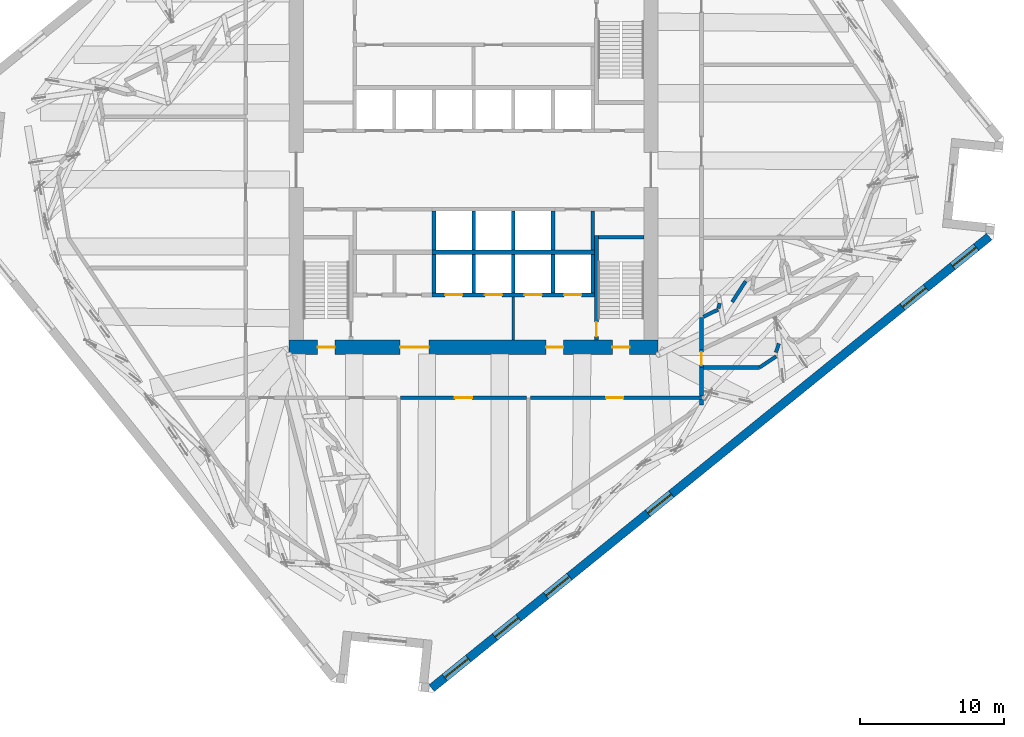
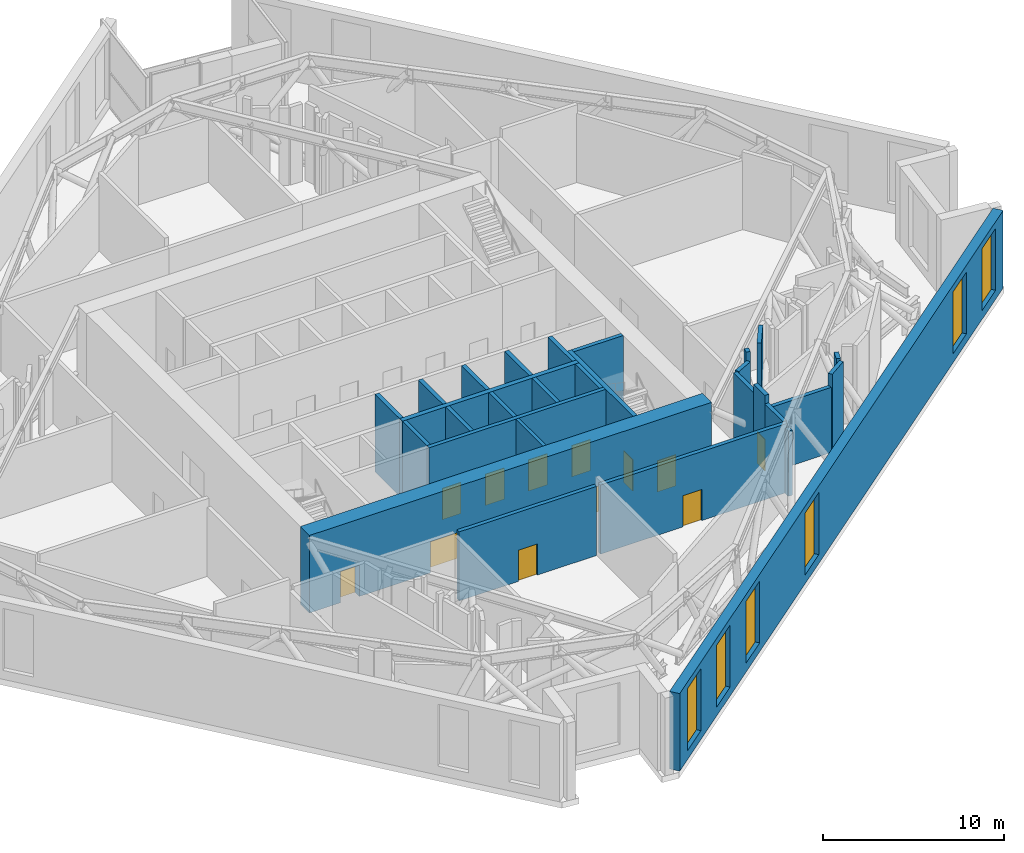
# One storey, part 8 of 17: 29 walls, 12 doors, 6 windows, 18 openings.
"""IFC4 building model written with IfcOpenShell, lengths in metres."""

from ifc_helpers import new_model, si_unit, direction, frame, frame_2d, origin, place, context, subcontext, project, spatial, rectangle, extrude, material, layer, layer_set, type_object, element, fill, save


model = new_model("IFC4")

# Units and contexts
model_context = context("Model", 3, precision=1e-05, world=origin(), true_north=direction((0.0, 1.0)))
body_context = subcontext(model_context, "Body", "Model", "MODEL_VIEW")
ifc_project = project(units=[si_unit("LENGTHUNIT", "METRE"), si_unit("AREAUNIT", "SQUARE_METRE"), si_unit("VOLUMEUNIT", "CUBIC_METRE"), si_unit("PLANEANGLEUNIT", "RADIAN"), si_unit("MASSUNIT", "GRAM", prefix="KILO")], contexts=[model_context])

# Site, building, storey
site_placement = place(None, origin())
site = spatial("IfcSite", under=ifc_project, at=site_placement, CompositionType="ELEMENT")
building_placement = place(site_placement, origin())
building = spatial("IfcBuilding", under=site, at=building_placement, Name="Dilmun Exchange Tower", CompositionType="ELEMENT")
storey_placement = place(building_placement, frame((0.0, 0.0, 183.699951171875)))
storey = spatial("IfcBuildingStorey", under=building, at=storey_placement, Name="L43", CompositionType="ELEMENT", Elevation=183.699951171875)

# Walls
ifc_material_1 = material(Name="Concrete C40/50", Category="concrete")
ifc_layer_1 = layer(ifc_material_1, 0.199951171875)
ifc_layer_set_1 = layer_set([ifc_layer_1], Name="Concrete C40/50")
wall_type_1 = type_object("IfcWallType", Name="Core partition wall 200", PredefinedType="PARTITIONING", material=ifc_layer_set_1)
wall_1_placement = place(storey_placement, frame((2.75, -11.794921875, 0.0), z_axis=(0.0, 0.0, 1.0), x_axis=(0.0, 1.0, 0.0)))
element("IfcWall", 1, at=wall_1_placement, inside=storey, type_object=wall_type_1, Name="L43 core partition wall 01", PredefinedType="PARTITIONING", context=body_context, shape_type="SweptSolid", body=[
    extrude(rectangle(XDim=2.989990234375, YDim=0.199951171875, at=frame_2d((1.4951171875, 0.0))), origin(), (0.0, 0.0, 1.0), 5.219970703125),
])
ifc_layer_2 = layer(ifc_material_1, 0.25)
ifc_layer_set_2 = layer_set([ifc_layer_2], Name="Concrete C40/50")
wall_type_2 = type_object("IfcWallType", Name="Core partition wall 250", PredefinedType="PARTITIONING", material=ifc_layer_set_2)
wall_2_placement = place(storey_placement, frame((8.25, -5.544921875, 0.0), z_axis=(0.0, 0.0, 1.0), x_axis=(0.0, 1.0, 0.0)))
element("IfcWall", 2, at=wall_2_placement, inside=storey, type_object=wall_type_2, Name="L43 core partition wall 07", PredefinedType="PARTITIONING", context=body_context, shape_type="SweptSolid", body=[
    extrude(rectangle(XDim=2.68994140625, YDim=0.25, at=frame_2d((1.344970703125, 0.0))), origin(), (0.0, 0.0, 1.0), 5.219970703125),
])

# Wall, openings, doors
ifc_material_2 = material(Name="Concrete C70/85", Category="concrete")
ifc_layer_3 = layer(ifc_material_2, 1.0)
ifc_layer_set_3 = layer_set([ifc_layer_3], Name="Concrete C70/85")
wall_type_3 = type_object("IfcWallType", Name="Core shear wall 1000 Concrete C70/85", PredefinedType="SHEAR", material=ifc_layer_set_3)
wall_3_placement = place(storey_placement, frame((-12.800048828125, -12.300048828125, 0.0), z_axis=(0.0, 0.0, 1.0), x_axis=(1.0, 0.0, 0.0)))
wall_3 = element("IfcWall", 3, at=wall_3_placement, inside=storey, type_object=wall_type_3, Name="L43 core shear wall S", PredefinedType="SHEAR", context=body_context, shape_type="SweptSolid", body=[
    extrude(rectangle(XDim=25.60009765625, YDim=1.0, at=frame_2d((12.800048828125, 0.0))), origin(), (0.0, 0.0, 1.0), 5.219970703125),
])
opening_1_placement = place(wall_3_placement, frame((7.699951171875, 0.0, 0.0)))
opening_1 = element("IfcOpeningElement", 4, at=opening_1_placement, cuts=wall_3, Name="Opening CD2", PredefinedType="OPENING", context=body_context, shape_type="SweptSolid", body=[
    extrude(rectangle(XDim=2.0, YDim=2.10009765625, at=frame_2d((1.0, 1.050048828125))), frame((0.0, 0.510009765625, 0.0), z_axis=(0.0, -1.0, 0.0), x_axis=(1.0, 0.0, 0.0)), (0.0, 0.0, 1.0), 1.02001953125),
])
opening_2_placement = place(wall_3_placement, frame((17.824951171875, 0.0, 0.0)))
opening_2 = element("IfcOpeningElement", 5, at=opening_2_placement, cuts=wall_3, Name="Opening CD3", PredefinedType="OPENING", context=body_context, shape_type="SweptSolid", body=[
    extrude(rectangle(XDim=1.199951171875, YDim=2.10009765625, at=frame_2d((0.60009765625, 1.050048828125))), frame((0.0, 0.510009765625, 0.0), z_axis=(0.0, -1.0, 0.0), x_axis=(1.0, 0.0, 0.0)), (0.0, 0.0, 1.0), 1.02001953125),
])
opening_3_placement = place(wall_3_placement, frame((1.97509765625, 0.0, 0.0)))
opening_3 = element("IfcOpeningElement", 6, at=opening_3_placement, cuts=wall_3, Name="Opening CD3", PredefinedType="OPENING", context=body_context, shape_type="SweptSolid", body=[
    extrude(rectangle(XDim=1.199951171875, YDim=2.10009765625, at=frame_2d((0.60009765625, 1.050048828125))), frame((0.0, 0.510009765625, 0.0), z_axis=(0.0, -1.0, 0.0), x_axis=(1.0, 0.0, 0.0)), (0.0, 0.0, 1.0), 1.02001953125),
])
opening_4_placement = place(wall_3_placement, frame((22.425048828125, 0.0, 0.0)))
opening_4 = element("IfcOpeningElement", 7, at=opening_4_placement, cuts=wall_3, Name="Opening CD3", PredefinedType="OPENING", context=body_context, shape_type="SweptSolid", body=[
    extrude(rectangle(XDim=1.199951171875, YDim=2.10009765625, at=frame_2d((0.60009765625, 1.050048828125))), frame((0.0, 0.510009765625, 0.0), z_axis=(0.0, -1.0, 0.0), x_axis=(1.0, 0.0, 0.0)), (0.0, 0.0, 1.0), 1.02001953125),
])
ifc_material_3 = material(Name="Fire-rated steel door set", Category="steel")
door_type_1 = type_object("IfcDoorType", Name="Core service door 2000x2100", OperationType="DOUBLE_DOOR_DOUBLE_SWING", PredefinedType="DOOR", material=ifc_material_3)
door_1_placement = place(opening_1_placement, origin())
door_1 = element("IfcDoor", 8, at=door_1_placement, inside=storey, type_object=door_type_1, Name="L43 door South service lobby", OperationType="SINGLE_SWING_LEFT", OverallHeight=2.10009765625, OverallWidth=2.0, PredefinedType="DOOR", context=body_context, shape_type="SweptSolid", body=[
    extrude(rectangle(XDim=2.0, YDim=2.10009765625, at=frame_2d((1.0, 1.050048828125))), frame((0.0, 0.02490234375, 0.0), z_axis=(0.0, -1.0, 0.0), x_axis=(1.0, 0.0, 0.0)), (0.0, 0.0, 1.0), 0.050048828125),
])
fill(opening_1, door_1)
door_type_2 = type_object("IfcDoorType", Name="Stair exit door 1200x2100", OperationType="SINGLE_SWING_LEFT", PredefinedType="DOOR", material=ifc_material_3)
door_2_placement = place(opening_2_placement, origin())
door_2 = element("IfcDoor", 9, at=door_2_placement, inside=storey, type_object=door_type_2, Name="L43 door Fire-fighting lobby", OperationType="SINGLE_SWING_LEFT", OverallHeight=2.10009765625, OverallWidth=1.199951171875, PredefinedType="DOOR", context=body_context, shape_type="SweptSolid", body=[
    extrude(rectangle(XDim=1.199951171875, YDim=2.10009765625, at=frame_2d((0.60009765625, 1.050048828125))), frame((0.0, 0.02490234375, 0.0), z_axis=(0.0, -1.0, 0.0), x_axis=(1.0, 0.0, 0.0)), (0.0, 0.0, 1.0), 0.050048828125),
])
fill(opening_2, door_2)
door_3_placement = place(opening_3_placement, origin())
door_3 = element("IfcDoor", 10, at=door_3_placement, inside=storey, type_object=door_type_2, Name="L43 door Stair ST2", OperationType="SINGLE_SWING_LEFT", OverallHeight=2.10009765625, OverallWidth=1.199951171875, PredefinedType="DOOR", context=body_context, shape_type="SweptSolid", body=[
    extrude(rectangle(XDim=1.199951171875, YDim=2.10009765625, at=frame_2d((0.60009765625, 1.050048828125))), frame((0.0, 0.02490234375, 0.0), z_axis=(0.0, -1.0, 0.0), x_axis=(1.0, 0.0, 0.0)), (0.0, 0.0, 1.0), 0.050048828125),
])
fill(opening_3, door_3)
door_4_placement = place(opening_4_placement, origin())
door_4 = element("IfcDoor", 11, at=door_4_placement, inside=storey, type_object=door_type_2, Name="L43 door Stair ST3", OperationType="SINGLE_SWING_LEFT", OverallHeight=2.10009765625, OverallWidth=1.199951171875, PredefinedType="DOOR", context=body_context, shape_type="SweptSolid", body=[
    extrude(rectangle(XDim=1.199951171875, YDim=2.10009765625, at=frame_2d((0.60009765625, 1.050048828125))), frame((0.0, 0.02490234375, 0.0), z_axis=(0.0, -1.0, 0.0), x_axis=(1.0, 0.0, 0.0)), (0.0, 0.0, 1.0), 0.050048828125),
])
fill(opening_4, door_4)

# Walls
ifc_layer_4 = layer(ifc_material_1, 0.300048828125)
ifc_layer_set_4 = layer_set([ifc_layer_4], Name="Concrete C40/50")
wall_type_4 = type_object("IfcWallType", Name="Lift shaft shared wall 300", PredefinedType="SOLIDWALL", material=ifc_layer_set_4)
wall_4_placement = place(storey_placement, frame((-2.875, -5.699951171875, 0.0), z_axis=(0.0, 0.0, 1.0), x_axis=(1.0, 0.0, 0.0)))
element("IfcWall", 12, at=wall_4_placement, inside=storey, type_object=wall_type_4, Name="L43 lift shaft rear wall S", PredefinedType="SOLIDWALL", context=body_context, shape_type="SweptSolid", body=[
    extrude(rectangle(XDim=11.25, YDim=0.300048828125, at=frame_2d((5.625, 0.0))), origin(), (0.0, 0.0, 1.0), 5.219970703125),
])
ifc_layer_5 = layer(ifc_material_1, 0.25)
ifc_layer_set_5 = layer_set([ifc_layer_5], Name="Concrete C40/50")
wall_type_5 = type_object("IfcWallType", Name="Lift shaft wall 250", PredefinedType="SOLIDWALL", material=ifc_layer_set_5)
for number, where, z_axis, x_axis, name in (
    (13, (-2.75, -5.550048828125, 0.0), (0.0, 0.0, 1.0), (0.0, 1.0, 0.0), "L43 lift shaft divider S12"),
    (14, (0.0, -5.550048828125, 0.0), (0.0, 0.0, 1.0), (0.0, 1.0, 0.0), "L43 lift shaft divider S13"),
    (15, (2.75, -5.550048828125, 0.0), (0.0, 0.0, 1.0), (0.0, 1.0, 0.0), "L43 lift shaft divider S14"),
    (16, (5.5, -5.550048828125, 0.0), (0.0, 0.0, 1.0), (0.0, 1.0, 0.0), "L43 lift shaft divider S15"),
):
    element("IfcWall", number, at=place(storey_placement, frame(where, z_axis=z_axis, x_axis=x_axis)), inside=storey, type_object=wall_type_5, Name=name, PredefinedType="SOLIDWALL", context=body_context, shape_type="SweptSolid", body=[
        extrude(rectangle(XDim=2.699951171875, YDim=0.25, at=frame_2d((1.35009765625, 0.0))), origin(), (0.0, 0.0, 1.0), 5.219970703125),
    ])

# Wall, openings, doors
wall_5_placement = place(storey_placement, frame((-2.875, -8.675048828125, 0.0), z_axis=(0.0, 0.0, 1.0), x_axis=(1.0, 0.0, 0.0)))
wall_5 = element("IfcWall", 17, at=wall_5_placement, inside=storey, type_object=wall_type_5, Name="L43 lift shaft front wall S2", PredefinedType="SOLIDWALL", context=body_context, shape_type="SweptSolid", body=[
    extrude(rectangle(XDim=11.25, YDim=0.25, at=frame_2d((5.625, 0.0))), origin(), (0.0, 0.0, 1.0), 5.219970703125),
])
opening_5_placement = place(wall_5_placement, frame((0.89990234375, 0.0, 0.0)))
opening_5 = element("IfcOpeningElement", 18, at=opening_5_placement, cuts=wall_5, Name="Opening LD", PredefinedType="OPENING", context=body_context, shape_type="SweptSolid", body=[
    extrude(rectangle(XDim=1.199951171875, YDim=2.10009765625, at=frame_2d((0.60009765625, 1.050048828125))), frame((0.0, 0.135009765625, 0.0), z_axis=(0.0, -1.0, 0.0), x_axis=(1.0, 0.0, 0.0)), (0.0, 0.0, 1.0), 0.27001953125),
])
opening_6_placement = place(wall_5_placement, frame((3.64990234375, 0.0, 0.0)))
opening_6 = element("IfcOpeningElement", 19, at=opening_6_placement, cuts=wall_5, Name="Opening LD", PredefinedType="OPENING", context=body_context, shape_type="SweptSolid", body=[
    extrude(rectangle(XDim=1.199951171875, YDim=2.10009765625, at=frame_2d((0.60009765625, 1.050048828125))), frame((0.0, 0.135009765625, 0.0), z_axis=(0.0, -1.0, 0.0), x_axis=(1.0, 0.0, 0.0)), (0.0, 0.0, 1.0), 0.27001953125),
])
opening_7_placement = place(wall_5_placement, frame((6.39990234375, 0.0, 0.0)))
opening_7 = element("IfcOpeningElement", 20, at=opening_7_placement, cuts=wall_5, Name="Opening LD", PredefinedType="OPENING", context=body_context, shape_type="SweptSolid", body=[
    extrude(rectangle(XDim=1.199951171875, YDim=2.10009765625, at=frame_2d((0.60009765625, 1.050048828125))), frame((0.0, 0.135009765625, 0.0), z_axis=(0.0, -1.0, 0.0), x_axis=(1.0, 0.0, 0.0)), (0.0, 0.0, 1.0), 0.27001953125),
])
opening_8_placement = place(wall_5_placement, frame((9.14990234375, 0.0, 0.0)))
opening_8 = element("IfcOpeningElement", 21, at=opening_8_placement, cuts=wall_5, Name="Opening LD", PredefinedType="OPENING", context=body_context, shape_type="SweptSolid", body=[
    extrude(rectangle(XDim=1.199951171875, YDim=2.10009765625, at=frame_2d((0.60009765625, 1.050048828125))), frame((0.0, 0.135009765625, 0.0), z_axis=(0.0, -1.0, 0.0), x_axis=(1.0, 0.0, 0.0)), (0.0, 0.0, 1.0), 0.27001953125),
])
door_type_3 = type_object("IfcDoorType", Name="Lift landing door 1200x2100", OperationType="DOUBLE_DOOR_SLIDING", PredefinedType="DOOR", material=ifc_material_3)
door_5_placement = place(opening_5_placement, origin())
door_5 = element("IfcDoor", 22, at=door_5_placement, inside=storey, type_object=door_type_3, Name="L43 landing door SV1", OperationType="DOUBLE_DOOR_SLIDING", OverallHeight=2.10009765625, OverallWidth=1.199951171875, PredefinedType="DOOR", context=body_context, shape_type="SweptSolid", body=[
    extrude(rectangle(XDim=1.199951171875, YDim=2.10009765625, at=frame_2d((0.60009765625, 1.050048828125))), frame((0.0, 0.02490234375, 0.0), z_axis=(0.0, -1.0, 0.0), x_axis=(1.0, 0.0, 0.0)), (0.0, 0.0, 1.0), 0.050048828125),
])
fill(opening_5, door_5)
door_6_placement = place(opening_6_placement, origin())
door_6 = element("IfcDoor", 23, at=door_6_placement, inside=storey, type_object=door_type_3, Name="L43 landing door SV2", OperationType="DOUBLE_DOOR_SLIDING", OverallHeight=2.10009765625, OverallWidth=1.199951171875, PredefinedType="DOOR", context=body_context, shape_type="SweptSolid", body=[
    extrude(rectangle(XDim=1.199951171875, YDim=2.10009765625, at=frame_2d((0.60009765625, 1.050048828125))), frame((0.0, 0.02490234375, 0.0), z_axis=(0.0, -1.0, 0.0), x_axis=(1.0, 0.0, 0.0)), (0.0, 0.0, 1.0), 0.050048828125),
])
fill(opening_6, door_6)
door_7_placement = place(opening_7_placement, origin())
door_7 = element("IfcDoor", 24, at=door_7_placement, inside=storey, type_object=door_type_3, Name="L43 landing door FF1", OperationType="DOUBLE_DOOR_SLIDING", OverallHeight=2.10009765625, OverallWidth=1.199951171875, PredefinedType="DOOR", context=body_context, shape_type="SweptSolid", body=[
    extrude(rectangle(XDim=1.199951171875, YDim=2.10009765625, at=frame_2d((0.60009765625, 1.050048828125))), frame((0.0, 0.02490234375, 0.0), z_axis=(0.0, -1.0, 0.0), x_axis=(1.0, 0.0, 0.0)), (0.0, 0.0, 1.0), 0.050048828125),
])
fill(opening_7, door_7)
door_8_placement = place(opening_8_placement, origin())
door_8 = element("IfcDoor", 25, at=door_8_placement, inside=storey, type_object=door_type_3, Name="L43 landing door FF2", OperationType="DOUBLE_DOOR_SLIDING", OverallHeight=2.10009765625, OverallWidth=1.199951171875, PredefinedType="DOOR", context=body_context, shape_type="SweptSolid", body=[
    extrude(rectangle(XDim=1.199951171875, YDim=2.10009765625, at=frame_2d((0.60009765625, 1.050048828125))), frame((0.0, 0.02490234375, 0.0), z_axis=(0.0, -1.0, 0.0), x_axis=(1.0, 0.0, 0.0)), (0.0, 0.0, 1.0), 0.050048828125),
])
fill(opening_8, door_8)

# Walls
for number, where, z_axis, x_axis, name in (
    (26, (-2.75, -8.550048828125, 0.0), (0.0, 0.0, 1.0), (0.0, 1.0, 0.0), "L43 lift shaft divider S22"),
    (27, (0.0, -8.550048828125, 0.0), (0.0, 0.0, 1.0), (0.0, 1.0, 0.0), "L43 lift shaft divider S23"),
    (28, (2.75, -8.550048828125, 0.0), (0.0, 0.0, 1.0), (0.0, 1.0, 0.0), "L43 lift shaft divider S24"),
    (29, (5.5, -8.550048828125, 0.0), (0.0, 0.0, 1.0), (0.0, 1.0, 0.0), "L43 lift shaft divider S25"),
    (30, (8.25, -8.550048828125, 0.0), (0.0, 0.0, 1.0), (0.0, 1.0, 0.0), "L43 lift shaft divider S26"),
):
    element("IfcWall", number, at=place(storey_placement, frame(where, z_axis=z_axis, x_axis=x_axis)), inside=storey, type_object=wall_type_5, Name=name, PredefinedType="SOLIDWALL", context=body_context, shape_type="SweptSolid", body=[
        extrude(rectangle(XDim=2.699951171875, YDim=0.25, at=frame_2d((1.35009765625, 0.0))), origin(), (0.0, 0.0, 1.0), 5.219970703125),
    ])

# Wall, opening, door
ifc_material_4 = material(Name="Concrete C32/40", Category="concrete")
ifc_layer_6 = layer(ifc_material_4, 0.25)
ifc_layer_set_6 = layer_set([ifc_layer_6], Name="Concrete C32/40")
wall_type_6 = type_object("IfcWallType", Name="Plant room wall 250", PredefinedType="PARTITIONING", material=ifc_layer_set_6)
wall_6_placement = place(storey_placement, frame((-5.070068359375, -15.800048828125, 0.0), z_axis=(0.0, 0.0, 1.0), x_axis=(1.0, 0.0, 0.0)))
wall_6 = element("IfcWall", 31, at=wall_6_placement, inside=storey, type_object=wall_type_6, Name="L43 plant room wall 34", PredefinedType="PARTITIONING", context=body_context, shape_type="SweptSolid", body=[
    extrude(rectangle(XDim=8.739990234375, YDim=0.25, at=frame_2d((4.3701171875, 0.0))), origin(), (0.0, 0.0, 1.0), 4.650146484375),
])
opening_9_placement = place(wall_6_placement, frame((3.77001953125, 0.0, 0.0)))
opening_9 = element("IfcOpeningElement", 32, at=opening_9_placement, cuts=wall_6, Name="Opening PD2", PredefinedType="OPENING", context=body_context, shape_type="SweptSolid", body=[
    extrude(rectangle(XDim=1.199951171875, YDim=2.10009765625, at=frame_2d((0.60009765625, 1.050048828125))), frame((0.0, 0.135009765625, 0.0), z_axis=(0.0, -1.0, 0.0), x_axis=(1.0, 0.0, 0.0)), (0.0, 0.0, 1.0), 0.27001953125),
])
door_type_4 = type_object("IfcDoorType", Name="Plant room door 1200x2100", OperationType="SINGLE_SWING_LEFT", PredefinedType="DOOR", material=ifc_material_3)
door_9_placement = place(opening_9_placement, origin())
door_9 = element("IfcDoor", 33, at=door_9_placement, inside=storey, type_object=door_type_4, Name="L43 door Electrical switch room", OperationType="SINGLE_SWING_RIGHT", OverallHeight=2.10009765625, OverallWidth=1.199951171875, PredefinedType="DOOR", context=body_context, shape_type="SweptSolid", body=[
    extrude(rectangle(XDim=1.199951171875, YDim=2.10009765625, at=frame_2d((0.60009765625, 1.050048828125))), frame((0.0, 0.02490234375, 0.0), z_axis=(0.0, -1.0, 0.0), x_axis=(1.0, 0.0, 0.0)), (0.0, 0.0, 1.0), 0.050048828125),
])
fill(opening_9, door_9)

wall_7_placement = place(storey_placement, frame((3.929931640625, -15.800048828125, 0.0), z_axis=(0.0, 0.0, 1.0), x_axis=(1.0, 0.0, 0.0)))
wall_7 = element("IfcWall", 34, at=wall_7_placement, inside=storey, type_object=wall_type_6, Name="L43 plant room wall 35", PredefinedType="PARTITIONING", context=body_context, shape_type="SweptSolid", body=[
    extrude(rectangle(XDim=11.8701171875, YDim=0.25, at=frame_2d((5.93505859375, 0.0))), origin(), (0.0, 0.0, 1.0), 4.650146484375),
])
opening_10_placement = place(wall_7_placement, frame((5.260009765625, 0.0, 0.0)))
opening_10 = element("IfcOpeningElement", 35, at=opening_10_placement, cuts=wall_7, Name="Opening PD2", PredefinedType="OPENING", context=body_context, shape_type="SweptSolid", body=[
    extrude(rectangle(XDim=1.199951171875, YDim=2.10009765625, at=frame_2d((0.60009765625, 1.050048828125))), frame((0.0, 0.135009765625, 0.0), z_axis=(0.0, -1.0, 0.0), x_axis=(1.0, 0.0, 0.0)), (0.0, 0.0, 1.0), 0.27001953125),
])
door_10_placement = place(opening_10_placement, origin())
door_10 = element("IfcDoor", 36, at=door_10_placement, inside=storey, type_object=door_type_4, Name="L43 door AHU room", OperationType="SINGLE_SWING_LEFT", OverallHeight=2.10009765625, OverallWidth=1.199951171875, PredefinedType="DOOR", context=body_context, shape_type="SweptSolid", body=[
    extrude(rectangle(XDim=1.199951171875, YDim=2.10009765625, at=frame_2d((0.60009765625, 1.050048828125))), frame((0.0, 0.02490234375, 0.0), z_axis=(0.0, -1.0, 0.0), x_axis=(1.0, 0.0, 0.0)), (0.0, 0.0, 1.0), 0.050048828125),
])
fill(opening_10, door_10)

# Walls
wall_8_placement = place(storey_placement, frame((15.800048828125, -16.28857421875, 0.0), z_axis=(0.0, 0.0, 1.0), x_axis=(0.0, 1.0, 0.0)))
element("IfcWall", 37, at=wall_8_placement, inside=storey, type_object=wall_type_6, Name="L43 plant room wall 36", PredefinedType="PARTITIONING", context=body_context, shape_type="SweptSolid", body=[
    extrude(rectangle(XDim=0.358642578125, YDim=0.25, at=frame_2d((0.17919921875, 0.0))), origin(), (0.0, 0.0, 1.0), 4.385986328125),
])
wall_9_placement = place(storey_placement, frame((15.800048828125, -15.669921875, 0.0), z_axis=(0.0, 0.0, 1.0), x_axis=(0.0, 1.0, 0.0)))
element("IfcWall", 38, at=wall_9_placement, inside=storey, type_object=wall_type_6, Name="L43 plant room wall 37", PredefinedType="PARTITIONING", context=body_context, shape_type="SweptSolid", body=[
    extrude(rectangle(XDim=1.969970703125, YDim=0.25, at=frame_2d((0.98486328125, 0.0))), origin(), (0.0, 0.0, 1.0), 4.650146484375),
])

# Wall, opening, door
wall_10_placement = place(storey_placement, frame((15.800048828125, -13.695068359375, 0.0), z_axis=(0.0, 0.0, 1.0), x_axis=(0.0, 1.0, 0.0)))
wall_10 = element("IfcWall", 39, at=wall_10_placement, inside=storey, type_object=wall_type_6, Name="L43 plant room wall 38", PredefinedType="PARTITIONING", context=body_context, shape_type="SweptSolid", body=[
    extrude(rectangle(XDim=1.232177734375, YDim=0.25, at=frame_2d((0.6162109375, 0.0))), origin(), (0.0, 0.0, 1.0), 5.219970703125),
])
opening_11_placement = place(wall_10_placement, frame((0.16650390625, 0.0, 0.0)))
opening_11 = element("IfcOpeningElement", 40, at=opening_11_placement, cuts=wall_10, Name="Opening PD5", PredefinedType="OPENING", context=body_context, shape_type="SweptSolid", body=[
    extrude(rectangle(XDim=0.89990234375, YDim=2.10009765625, at=frame_2d((0.449951171875, 1.050048828125))), frame((0.0, 0.135009765625, 0.0), z_axis=(0.0, -1.0, 0.0), x_axis=(1.0, 0.0, 0.0)), (0.0, 0.0, 1.0), 0.27001953125),
])
door_type_5 = type_object("IfcDoorType", Name="Plant room door 900x2100", OperationType="SINGLE_SWING_LEFT", PredefinedType="DOOR", material=ifc_material_3)
door_11_placement = place(opening_11_placement, origin())
door_11 = element("IfcDoor", 41, at=door_11_placement, inside=storey, type_object=door_type_5, Name="L43 door Battery plant room", OperationType="SINGLE_SWING_LEFT", OverallHeight=2.10009765625, OverallWidth=0.89990234375, PredefinedType="DOOR", context=body_context, shape_type="SweptSolid", body=[
    extrude(rectangle(XDim=0.89990234375, YDim=2.10009765625, at=frame_2d((0.449951171875, 1.050048828125))), frame((0.0, 0.02490234375, 0.0), z_axis=(0.0, -1.0, 0.0), x_axis=(1.0, 0.0, 0.0)), (0.0, 0.0, 1.0), 0.050048828125),
])
fill(opening_11, door_11)

# Walls
wall_11_placement = place(storey_placement, frame((15.929931640625, -13.699951171875, 0.0), z_axis=(0.0, 0.0, 1.0), x_axis=(1.0, 0.0, 0.0)))
element("IfcWall", 42, at=wall_11_placement, inside=storey, type_object=wall_type_6, Name="L43 plant room wall 39", PredefinedType="PARTITIONING", context=body_context, shape_type="SweptSolid", body=[
    extrude(rectangle(XDim=3.90185546875, YDim=0.25, at=frame_2d((1.950927734375, 0.0))), origin(), (0.0, 0.0, 1.0), 4.385986328125),
])
wall_12_placement = place(storey_placement, frame((19.836669921875, -13.69677734375, 0.0), z_axis=(0.0, 0.0, 1.0), x_axis=(0.832023191171, 0.554740848824, 0.0)))
element("IfcWall", 43, at=wall_12_placement, inside=storey, type_object=wall_type_6, Name="L43 plant room wall 40", PredefinedType="PARTITIONING", context=body_context, shape_type="SweptSolid", body=[
    extrude(rectangle(XDim=1.385986328125, YDim=0.25, at=frame_2d((0.69287109375, 0.0))), origin(), (0.0, 0.0, 1.0), 5.219970703125),
])
wall_13_placement = place(storey_placement, frame((15.800048828125, -12.4580078125, 0.0), z_axis=(0.0, 0.0, 1.0), x_axis=(0.0, 1.0, 0.0)))
element("IfcWall", 44, at=wall_13_placement, inside=storey, type_object=wall_type_6, Name="L43 plant room wall 41", PredefinedType="PARTITIONING", context=body_context, shape_type="SweptSolid", body=[
    extrude(rectangle(XDim=2.215576171875, YDim=0.25, at=frame_2d((1.10791015625, 0.0))), origin(), (0.0, 0.0, 1.0), 4.650146484375),
])
wall_14_placement = place(storey_placement, frame((20.96484375, -12.65087890625, 0.0), z_axis=(0.0, 0.0, 1.0), x_axis=(0.318168081684, 0.948034319947, 0.0)))
element("IfcWall", 45, at=wall_14_placement, inside=storey, type_object=wall_type_6, Name="L43 plant room wall 43", PredefinedType="PARTITIONING", context=body_context, shape_type="SweptSolid", body=[
    extrude(rectangle(XDim=0.6416015625, YDim=0.25, at=frame_2d((0.32080078125, 0.0))), origin(), (0.0, 0.0, 1.0), 5.219970703125),
])
wall_15_placement = place(storey_placement, frame((15.929931640625, -10.1796875, 0.0), z_axis=(0.0, 0.0, 1.0), x_axis=(0.900702564814, 0.434436289619, 0.0)))
element("IfcWall", 46, at=wall_15_placement, inside=storey, type_object=wall_type_6, Name="L43 plant room wall 47", PredefinedType="PARTITIONING", context=body_context, shape_type="SweptSolid", body=[
    extrude(rectangle(XDim=1.13525390625, YDim=0.25, at=frame_2d((0.567626953125, 0.0))), origin(), (0.0, 0.0, 1.0), 4.650146484375),
])
wall_16_placement = place(storey_placement, frame((16.974609375, -9.6015625, 0.0), z_axis=(0.0, 0.0, 1.0), x_axis=(0.251218572989, 0.967930384163, 0.0)))
element("IfcWall", 47, at=wall_16_placement, inside=storey, type_object=wall_type_6, Name="L43 plant room wall 48", PredefinedType="PARTITIONING", context=body_context, shape_type="SweptSolid", body=[
    extrude(rectangle(XDim=0.363525390625, YDim=0.25, at=frame_2d((0.181640625, 0.0))), origin(), (0.0, 0.0, 1.0), 5.219970703125),
])
wall_17_placement = place(storey_placement, frame((17.930419921875, -9.157958984375, 0.0), z_axis=(0.0, 0.0, 1.0), x_axis=(0.542980424623, 0.839745353352, 0.0)))
element("IfcWall", 48, at=wall_17_placement, inside=storey, type_object=wall_type_6, Name="L43 plant room wall 51", PredefinedType="PARTITIONING", context=body_context, shape_type="SweptSolid", body=[
    extrude(rectangle(XDim=1.719482421875, YDim=0.25, at=frame_2d((0.85986328125, 0.0))), origin(), (0.0, 0.0, 1.0), 5.219970703125),
])

# Wall, openings, windows
ifc_material_5 = material(Name="Precast concrete C50/60", Category="concrete")
ifc_layer_7 = layer(ifc_material_5, 0.60009765625)
ifc_layer_set_7 = layer_set([ifc_layer_7], Name="Precast concrete C50/60")
wall_type_7 = type_object("IfcWallType", Name="Precast stone-clad wall 600", PredefinedType="STANDARD", material=ifc_layer_set_7)
wall_18_placement = place(storey_placement, frame((-2.90673828125, -35.938232421875, 0.0), z_axis=(0.0, 0.0, 1.0), x_axis=(0.777145668104, 0.629320753311, 0.0)))
wall_18 = element("IfcWall", 49, at=wall_18_placement, inside=storey, type_object=wall_type_7, Name="Facade wall L43-15", PredefinedType="STANDARD", context=body_context, shape_type="SweptSolid", body=[
    extrude(rectangle(XDim=49.75146484375, YDim=0.60009765625, at=frame_2d((24.875732421875, 0.0))), origin(), (0.0, 0.0, 1.0), 5.219970703125),
])
opening_12_placement = place(wall_18_placement, frame((1.16064453125, 0.0, 0.60009765625)))
opening_12 = element("IfcOpeningElement", 50, at=opening_12_placement, cuts=wall_18, Name="Opening LV210-417", PredefinedType="OPENING", context=body_context, shape_type="SweptSolid", body=[
    extrude(rectangle(XDim=2.10009765625, YDim=4.169921875, at=frame_2d((1.050048828125, 2.0849609375))), frame((0.0, 0.31005859375, 0.0), z_axis=(0.0, -1.0, 0.0), x_axis=(1.0, 0.0, 0.0)), (0.0, 0.0, 1.0), 0.6201171875),
])
opening_13_placement = place(wall_18_placement, frame((5.643798828125, 0.0, 0.60009765625)))
opening_13 = element("IfcOpeningElement", 51, at=opening_13_placement, cuts=wall_18, Name="Opening LV210-417", PredefinedType="OPENING", context=body_context, shape_type="SweptSolid", body=[
    extrude(rectangle(XDim=2.10009765625, YDim=4.169921875, at=frame_2d((1.050048828125, 2.0849609375))), frame((0.0, 0.31005859375, 0.0), z_axis=(0.0, -1.0, 0.0), x_axis=(1.0, 0.0, 0.0)), (0.0, 0.0, 1.0), 0.6201171875),
])
opening_14_placement = place(wall_18_placement, frame((10.189453125, 0.0, 0.60009765625)))
opening_14 = element("IfcOpeningElement", 52, at=opening_14_placement, cuts=wall_18, Name="Opening LV210-417", PredefinedType="OPENING", context=body_context, shape_type="SweptSolid", body=[
    extrude(rectangle(XDim=2.10009765625, YDim=4.169921875, at=frame_2d((1.050048828125, 2.0849609375))), frame((0.0, 0.31005859375, 0.0), z_axis=(0.0, -1.0, 0.0), x_axis=(1.0, 0.0, 0.0)), (0.0, 0.0, 1.0), 0.6201171875),
])
opening_15_placement = place(wall_18_placement, frame((19.2802734375, 0.0, 0.60009765625)))
opening_15 = element("IfcOpeningElement", 53, at=opening_15_placement, cuts=wall_18, Name="Opening LV210-417", PredefinedType="OPENING", context=body_context, shape_type="SweptSolid", body=[
    extrude(rectangle(XDim=2.10009765625, YDim=4.169921875, at=frame_2d((1.050048828125, 2.0849609375))), frame((0.0, 0.31005859375, 0.0), z_axis=(0.0, -1.0, 0.0), x_axis=(1.0, 0.0, 0.0)), (0.0, 0.0, 1.0), 0.6201171875),
])
opening_16_placement = place(wall_18_placement, frame((42.007568359375, 0.0, 0.60009765625)))
opening_16 = element("IfcOpeningElement", 54, at=opening_16_placement, cuts=wall_18, Name="Opening LV210-417", PredefinedType="OPENING", context=body_context, shape_type="SweptSolid", body=[
    extrude(rectangle(XDim=2.10009765625, YDim=4.169921875, at=frame_2d((1.050048828125, 2.0849609375))), frame((0.0, 0.31005859375, 0.0), z_axis=(0.0, -1.0, 0.0), x_axis=(1.0, 0.0, 0.0)), (0.0, 0.0, 1.0), 0.6201171875),
])
opening_17_placement = place(wall_18_placement, frame((46.490966796875, 0.0, 0.60009765625)))
opening_17 = element("IfcOpeningElement", 55, at=opening_17_placement, cuts=wall_18, Name="Opening LV210-417", PredefinedType="OPENING", context=body_context, shape_type="SweptSolid", body=[
    extrude(rectangle(XDim=2.10009765625, YDim=4.169921875, at=frame_2d((1.050048828125, 2.0849609375))), frame((0.0, 0.31005859375, 0.0), z_axis=(0.0, -1.0, 0.0), x_axis=(1.0, 0.0, 0.0)), (0.0, 0.0, 1.0), 0.6201171875),
])
ifc_material_6 = material(Name="Anodised aluminium louvre blades with sand trap", Category="aluminium")
window_type = type_object("IfcWindowType", Name="Plant louvre 2100 x 4170", PartitioningType="SINGLE_PANEL", PredefinedType="USERDEFINED", material=ifc_material_6)
window_1_placement = place(opening_12_placement, origin())
window_1 = element("IfcWindow", 56, at=window_1_placement, inside=storey, type_object=window_type, Name="Plant louvre 16.1", ObjectType="LOUVRE", OverallHeight=4.169921875, OverallWidth=2.10009765625, PartitioningType="SINGLE_PANEL", PredefinedType="USERDEFINED", context=body_context, shape_type="SweptSolid", body=[
    extrude(rectangle(XDim=2.10009765625, YDim=4.169921875, at=frame_2d((1.050048828125, 2.0849609375))), frame((0.0, 0.030029296875, 0.0), z_axis=(0.0, -1.0, 0.0), x_axis=(1.0, 0.0, 0.0)), (0.0, 0.0, 1.0), 0.06005859375),
])
fill(opening_12, window_1)
window_2_placement = place(opening_13_placement, origin())
window_2 = element("IfcWindow", 57, at=window_2_placement, inside=storey, type_object=window_type, Name="Plant louvre 16.2", ObjectType="LOUVRE", OverallHeight=4.169921875, OverallWidth=2.10009765625, PartitioningType="SINGLE_PANEL", PredefinedType="USERDEFINED", context=body_context, shape_type="SweptSolid", body=[
    extrude(rectangle(XDim=2.10009765625, YDim=4.169921875, at=frame_2d((1.050048828125, 2.0849609375))), frame((0.0, 0.030029296875, 0.0), z_axis=(0.0, -1.0, 0.0), x_axis=(1.0, 0.0, 0.0)), (0.0, 0.0, 1.0), 0.06005859375),
])
fill(opening_13, window_2)
window_3_placement = place(opening_14_placement, origin())
window_3 = element("IfcWindow", 58, at=window_3_placement, inside=storey, type_object=window_type, Name="Plant louvre 16.3", ObjectType="LOUVRE", OverallHeight=4.169921875, OverallWidth=2.10009765625, PartitioningType="SINGLE_PANEL", PredefinedType="USERDEFINED", context=body_context, shape_type="SweptSolid", body=[
    extrude(rectangle(XDim=2.10009765625, YDim=4.169921875, at=frame_2d((1.050048828125, 2.0849609375))), frame((0.0, 0.030029296875, 0.0), z_axis=(0.0, -1.0, 0.0), x_axis=(1.0, 0.0, 0.0)), (0.0, 0.0, 1.0), 0.06005859375),
])
fill(opening_14, window_3)
window_4_placement = place(opening_15_placement, origin())
window_4 = element("IfcWindow", 59, at=window_4_placement, inside=storey, type_object=window_type, Name="Plant louvre 16.5", ObjectType="LOUVRE", OverallHeight=4.169921875, OverallWidth=2.10009765625, PartitioningType="SINGLE_PANEL", PredefinedType="USERDEFINED", context=body_context, shape_type="SweptSolid", body=[
    extrude(rectangle(XDim=2.10009765625, YDim=4.169921875, at=frame_2d((1.050048828125, 2.0849609375))), frame((0.0, 0.030029296875, 0.0), z_axis=(0.0, -1.0, 0.0), x_axis=(1.0, 0.0, 0.0)), (0.0, 0.0, 1.0), 0.06005859375),
])
fill(opening_15, window_4)
window_5_placement = place(opening_16_placement, origin())
window_5 = element("IfcWindow", 60, at=window_5_placement, inside=storey, type_object=window_type, Name="Plant louvre 16.10", ObjectType="LOUVRE", OverallHeight=4.169921875, OverallWidth=2.10009765625, PartitioningType="SINGLE_PANEL", PredefinedType="USERDEFINED", context=body_context, shape_type="SweptSolid", body=[
    extrude(rectangle(XDim=2.10009765625, YDim=4.169921875, at=frame_2d((1.050048828125, 2.0849609375))), frame((0.0, 0.030029296875, 0.0), z_axis=(0.0, -1.0, 0.0), x_axis=(1.0, 0.0, 0.0)), (0.0, 0.0, 1.0), 0.06005859375),
])
fill(opening_16, window_5)
window_6_placement = place(opening_17_placement, origin())
window_6 = element("IfcWindow", 61, at=window_6_placement, inside=storey, type_object=window_type, Name="Plant louvre 16.11", ObjectType="LOUVRE", OverallHeight=4.169921875, OverallWidth=2.10009765625, PartitioningType="SINGLE_PANEL", PredefinedType="USERDEFINED", context=body_context, shape_type="SweptSolid", body=[
    extrude(rectangle(XDim=2.10009765625, YDim=4.169921875, at=frame_2d((1.050048828125, 2.0849609375))), frame((0.0, 0.030029296875, 0.0), z_axis=(0.0, -1.0, 0.0), x_axis=(1.0, 0.0, 0.0)), (0.0, 0.0, 1.0), 0.06005859375),
])
fill(opening_17, window_6)

# Wall
ifc_layer_8 = layer(ifc_material_1, 0.25)
ifc_layer_set_8 = layer_set([ifc_layer_8], Name="Concrete C40/50")
wall_type_8 = type_object("IfcWallType", Name="Stair end wall 250", PredefinedType="SOLIDWALL", material=ifc_layer_set_8)
wall_19_placement = place(storey_placement, frame((8.64990234375, -4.675048828125, 0.0), z_axis=(0.0, 0.0, 1.0), x_axis=(1.0, 0.0, 0.0)))
element("IfcWall", 62, at=wall_19_placement, inside=storey, type_object=wall_type_8, Name="L43 ST3 far wall", PredefinedType="SOLIDWALL", context=body_context, shape_type="SweptSolid", body=[
    extrude(rectangle(XDim=3.150146484375, YDim=0.25, at=frame_2d((1.5751953125, 0.0))), origin(), (0.0, 0.0, 1.0), 5.219970703125),
])

# Wall, opening, door
ifc_layer_9 = layer(ifc_material_1, 0.27490234375)
ifc_layer_set_9 = layer_set([ifc_layer_9], Name="Concrete C40/50")
wall_type_9 = type_object("IfcWallType", Name="Stair wall 275", PredefinedType="SOLIDWALL", material=ifc_layer_set_9)
wall_20_placement = place(storey_placement, frame((8.512451171875, -4.550048828125, 0.0), z_axis=(0.0, 0.0, 1.0), x_axis=(0.0, -1.0, 0.0)))
wall_20 = element("IfcWall", 63, at=wall_20_placement, inside=storey, type_object=wall_type_9, Name="L43 ST3 wall to lift block", PredefinedType="SOLIDWALL", context=body_context, shape_type="SweptSolid", body=[
    extrude(rectangle(XDim=7.25, YDim=0.27490234375, at=frame_2d((3.625, 0.0))), origin(), (0.0, 0.0, 1.0), 5.219970703125),
])
opening_18_placement = place(wall_20_placement, frame((6.0, 0.0, 0.0)))
opening_18 = element("IfcOpeningElement", 64, at=opening_18_placement, cuts=wall_20, Name="Opening CD4", PredefinedType="OPENING", context=body_context, shape_type="SweptSolid", body=[
    extrude(rectangle(XDim=1.0, YDim=2.10009765625, at=frame_2d((0.5, 1.050048828125))), frame((0.0, 0.1474609375, 0.0), z_axis=(0.0, -1.0, 0.0), x_axis=(1.0, 0.0, 0.0)), (0.0, 0.0, 1.0), 0.294921875),
])
door_type_6 = type_object("IfcDoorType", Name="Core room door 1000x2100", OperationType="SINGLE_SWING_LEFT", PredefinedType="DOOR", material=ifc_material_3)
door_12_placement = place(opening_18_placement, origin())
door_12 = element("IfcDoor", 65, at=door_12_placement, inside=storey, type_object=door_type_6, Name="L43 door ST3 from lobby", OperationType="SINGLE_SWING_LEFT", OverallHeight=2.10009765625, OverallWidth=1.0, PredefinedType="DOOR", context=body_context, shape_type="SweptSolid", body=[
    extrude(rectangle(XDim=1.0, YDim=2.10009765625, at=frame_2d((0.5, 1.050048828125))), frame((0.0, 0.02490234375, 0.0), z_axis=(0.0, -1.0, 0.0), x_axis=(1.0, 0.0, 0.0)), (0.0, 0.0, 1.0), 0.050048828125),
])
fill(opening_18, door_12)

save(model, "model.ifc")
